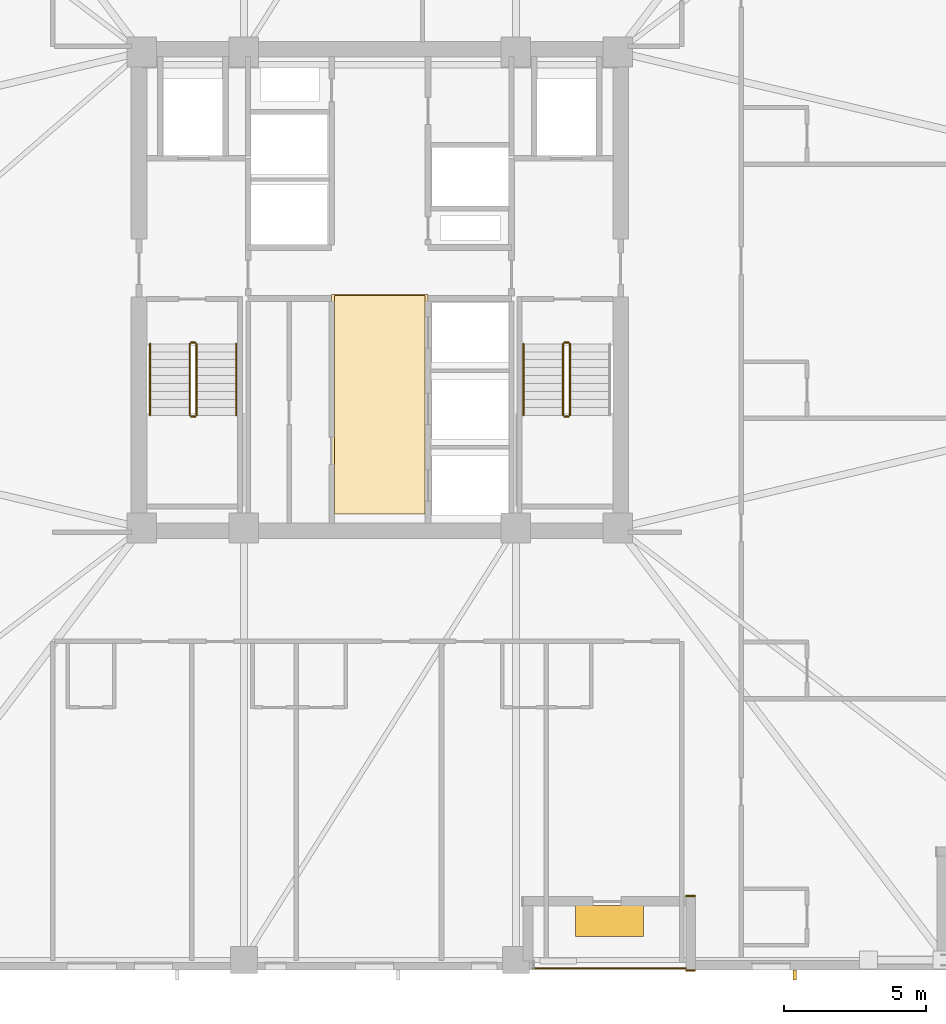
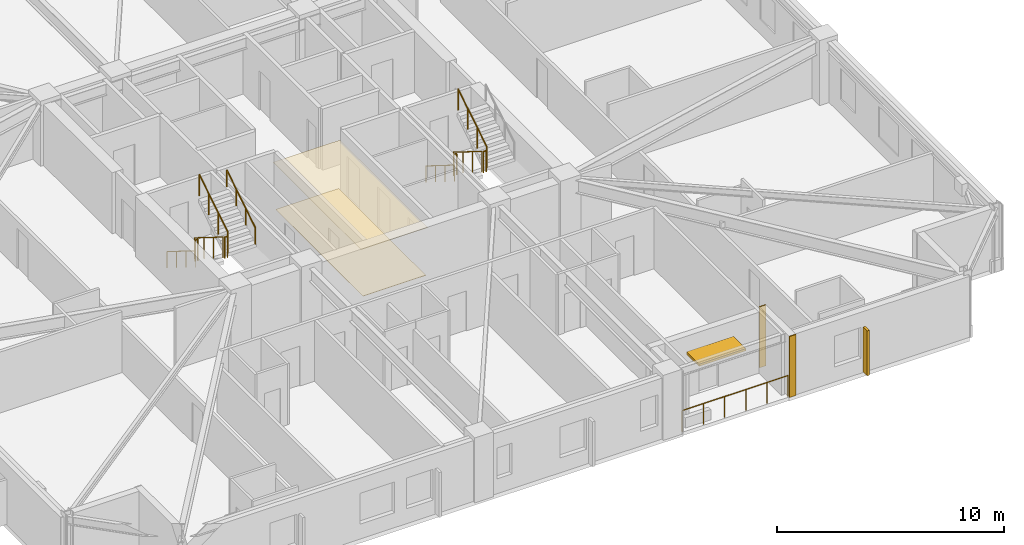
# One storey, part 8 of 11: 12 railings, 4 coverings, 2 shading devices.
"""IFC4 building model written with IfcOpenShell, lengths in metres."""

from ifc_helpers import new_model, si_unit, direction, frame, frame_2d, origin, origin_2d, place, context, subcontext, project, spatial, polyline, rectangle, circle, outline, extrude, material, layer, layer_set, type_object, element, save


model = new_model("IFC4")

# Units and contexts
model_context = context("Model", 3, precision=1e-05, world=origin(), true_north=direction((0.0, 1.0)))
body_context = subcontext(model_context, "Body", "Model", "MODEL_VIEW")
ifc_project = project(units=[si_unit("LENGTHUNIT", "METRE"), si_unit("AREAUNIT", "SQUARE_METRE"), si_unit("VOLUMEUNIT", "CUBIC_METRE"), si_unit("PLANEANGLEUNIT", "RADIAN"), si_unit("MASSUNIT", "GRAM", prefix="KILO")], contexts=[model_context])

# Site, building, storey
site_placement = place(None, origin())
site = spatial("IfcSite", under=ifc_project, at=site_placement, CompositionType="ELEMENT")
building_placement = place(site_placement, origin())
building = spatial("IfcBuilding", under=site, at=building_placement, Name="Cairnveth Concourse Tower", CompositionType="ELEMENT")
storey_placement = place(building_placement, frame((0.0, 0.0, 162.0)))
storey = spatial("IfcBuildingStorey", under=building, at=storey_placement, Name="L44", CompositionType="ELEMENT", Elevation=162.0)

# Coverings
ifc_material_1 = material(Name="Acoustic Mineral Fibre Ceiling", Category="gypsum")
ifc_layer_1 = layer(ifc_material_1, 0.02490234375)
ifc_layer_set_1 = layer_set([ifc_layer_1], Name="Acoustic Mineral Fibre Ceiling")
covering_type_1 = type_object("IfcCoveringType", Name="ACOUSTIC MINERAL FIBRE CEILING 25", PredefinedType="CEILING", material=ifc_layer_set_1)
covering_1_placement = place(storey_placement, frame((0.0, 0.0, 2.5400390625)))
element("IfcCovering", 1, at=covering_1_placement, inside=storey, type_object=covering_type_1, Name="Lift Lobby Acoustic Ceiling L44", PredefinedType="CEILING", context=body_context, shape_type="SweptSolid", body=[
    extrude(outline(polyline([(50.300048828125, 31.10009765625), (53.699951171875, 31.10009765625), (53.699951171875, 38.85009765625), (50.300048828125, 38.85009765625), (50.300048828125, 31.10009765625)])), origin(), (0.0, 0.0, 1.0), 0.02490234375),
])
ifc_material_2 = material(Name="Dressed Melbourne Bluestone Cladding", Category="masonry")
ifc_layer_2 = layer(ifc_material_2, 0.050048828125)
ifc_layer_set_2 = layer_set([ifc_layer_2], Name="Dressed Melbourne Bluestone Cladding")
covering_type_2 = type_object("IfcCoveringType", Name="DRESSED BLUESTONE PLINTH CLADDING 50", PredefinedType="CLADDING", material=ifc_layer_set_2)
for number, where, z_axis, x_axis, name in (
    (2, (63.139892578125, 14.97998046875, 0.0), (0.0, 0.0, 1.0), (-1.0, 0.0, 0.0), "Melbourne Bluestone Corner Quoin L44-656"),
    (3, (63.139892578125, 17.610107421875, 0.0), (0.0, 0.0, 1.0), (-1.0, 0.0, 0.0), "Melbourne Bluestone Corner Quoin L44-657"),
):
    element("IfcCovering", number, at=place(storey_placement, frame(where, z_axis=z_axis, x_axis=x_axis)), inside=storey, type_object=covering_type_2, Name=name, PredefinedType="CLADDING", context=body_context, shape_type="SweptSolid", body=[
        extrude(rectangle(XDim=0.33984375, YDim=0.050048828125, at=frame_2d((0.169921875, 0.0))), origin(), (0.0, 0.0, 1.0), 3.280029296875),
    ])

# Shading devices
ifc_material_3 = material(Name="Architectural Bronze Anodised Aluminium 6063-T6", Category="aluminium")
shading_device_type_1 = type_object("IfcShadingDeviceType", Name="GOTHIC BRONZE VERTICAL LANCET FIN", PredefinedType="USERDEFINED", material=ifc_material_3)
shading_device_1_placement = place(storey_placement, frame((66.64404296875, 14.824951171875, 0.030029296875), z_axis=(0.0, 0.0, 1.0), x_axis=(1.0, 0.0, 0.0)))
element("IfcShadingDevice", 4, at=shading_device_1_placement, inside=storey, type_object=shading_device_type_1, Name="Gothic Bronze Vertical Fin L44-12-1", ObjectType="VERTICAL FIN", PredefinedType="USERDEFINED", context=body_context, shape_type="SweptSolid", body=[
    extrude(rectangle(XDim=0.1201171875, YDim=0.360107421875, at=origin_2d()), origin(), (0.0, 0.0, 1.0), 2.419921875),
])
shading_device_type_2 = type_object("IfcShadingDeviceType", Name="SPIRAL TERRACE SUNSHADE CANOPY", PredefinedType="USERDEFINED", material=ifc_material_3)
shading_device_2_placement = place(storey_placement, frame((60.10009765625, 16.72998046875, 2.300048828125), z_axis=(0.0, 0.0, 1.0), x_axis=(1.0, 0.0, 0.0)))
element("IfcShadingDevice", 5, at=shading_device_2_placement, inside=storey, type_object=shading_device_type_2, Name="Spiral Terrace Sunshade L44", ObjectType="TERRACE SUNSHADE", PredefinedType="USERDEFINED", context=body_context, shape_type="SweptSolid", body=[
    extrude(rectangle(XDim=2.39990234375, YDim=1.10009765625, at=origin_2d()), origin(), (0.0, 0.0, 1.0), 0.1201171875),
])

# Railings
ifc_material_4 = material(Name="Steel Grade 350", Category="steel")
railing_type_1 = type_object("IfcRailingType", Name="STAIR GUARDRAIL 1150", PredefinedType="GUARDRAIL", material=ifc_material_4)
railing_1_placement = place(storey_placement, frame((45.2900390625, 37.10009765625, 0.175048828125)))
element("IfcRailing", 6, at=railing_1_placement, inside=storey, type_object=railing_type_1, Name="L44 ST-1 stair guard 1", PredefinedType="GUARDRAIL", context=body_context, shape_type="SweptSolid", body=[
    extrude(circle(Radius=0.02392578125, at=origin_2d()), frame((0.0, 0.0, 1.1259765625), z_axis=(0.0, -0.848007534815, 0.529984170421), x_axis=(1.0, 0.0, 0.0)), (0.0, 0.0, 1.0), 2.9716796875),
    extrude(circle(Radius=0.02099609375, at=origin_2d()), origin(), (0.0, 0.0, 1.0), 1.101806640625),
    extrude(circle(Radius=0.02099609375, at=origin_2d()), frame((0.0, -0.840087890625, 0.52490234375)), (0.0, 0.0, 1.0), 1.101806640625),
    extrude(circle(Radius=0.02099609375, at=origin_2d()), frame((0.0, -1.679931640625, 1.050048828125)), (0.0, 0.0, 1.0), 1.101806640625),
    extrude(circle(Radius=0.02099609375, at=origin_2d()), frame((0.0, -2.52001953125, 1.574951171875)), (0.0, 0.0, 1.0), 1.101806640625),
])
railing_2_placement = place(storey_placement, frame((45.340087890625, 34.530029296875, 1.75)))
element("IfcRailing", 7, at=railing_2_placement, inside=storey, type_object=railing_type_1, Name="L44 ST-1 stair guard 2", PredefinedType="GUARDRAIL", context=body_context, shape_type="SweptSolid", body=[
    extrude(circle(Radius=0.02392578125, at=origin_2d()), frame((0.0, 0.0, 1.1259765625), z_axis=(1.0, 0.0, 0.0), x_axis=(0.0, 1.0, 0.0)), (0.0, 0.0, 1.0), 0.139892578125),
    extrude(circle(Radius=0.02099609375, at=origin_2d()), origin(), (0.0, 0.0, 1.0), 1.101806640625),
    extrude(circle(Radius=0.02099609375, at=origin_2d()), frame((0.139892578125, 0.0, 0.0)), (0.0, 0.0, 1.0), 1.101806640625),
])
railing_3_placement = place(storey_placement, frame((45.530029296875, 34.580078125, 1.925048828125)))
element("IfcRailing", 8, at=railing_3_placement, inside=storey, type_object=railing_type_1, Name="L44 ST-1 stair guard 3", PredefinedType="GUARDRAIL", context=body_context, shape_type="SweptSolid", body=[
    extrude(circle(Radius=0.02392578125, at=origin_2d()), frame((0.0, 0.0, 1.1259765625), z_axis=(0.0, 0.848007534815, 0.529984170421), x_axis=(-1.0, 0.0, 0.0)), (0.0, 0.0, 1.0), 2.9716796875),
    extrude(circle(Radius=0.02099609375, at=origin_2d()), origin(), (0.0, 0.0, 1.0), 1.101806640625),
    extrude(circle(Radius=0.02099609375, at=origin_2d()), frame((0.0, 0.840087890625, 0.52490234375)), (0.0, 0.0, 1.0), 1.101806640625),
    extrude(circle(Radius=0.02099609375, at=origin_2d()), frame((0.0, 1.679931640625, 1.050048828125)), (0.0, 0.0, 1.0), 1.101806640625),
    extrude(circle(Radius=0.02099609375, at=origin_2d()), frame((0.0, 2.52001953125, 1.574951171875)), (0.0, 0.0, 1.0), 1.101806640625),
])
railing_4_placement = place(storey_placement, frame((45.340087890625, 37.14990234375, 0.0)))
element("IfcRailing", 9, at=railing_4_placement, inside=storey, type_object=railing_type_1, Name="L44 ST-1 stair guard 4", PredefinedType="GUARDRAIL", context=body_context, shape_type="SweptSolid", body=[
    extrude(circle(Radius=0.02392578125, at=origin_2d()), frame((0.0, 0.0, 1.1259765625), z_axis=(1.0, 0.0, 0.0), x_axis=(0.0, 1.0, 0.0)), (0.0, 0.0, 1.0), 0.139892578125),
    extrude(circle(Radius=0.02099609375, at=origin_2d()), origin(), (0.0, 0.0, 1.0), 1.101806640625),
    extrude(circle(Radius=0.02099609375, at=origin_2d()), frame((0.139892578125, 0.0, 0.0)), (0.0, 0.0, 1.0), 1.101806640625),
])
railing_5_placement = place(storey_placement, frame((58.469970703125, 37.10009765625, 0.175048828125)))
element("IfcRailing", 10, at=railing_5_placement, inside=storey, type_object=railing_type_1, Name="L44 ST-2 stair guard 1", PredefinedType="GUARDRAIL", context=body_context, shape_type="SweptSolid", body=[
    extrude(circle(Radius=0.02392578125, at=origin_2d()), frame((0.0, 0.0, 1.1259765625), z_axis=(0.0, -0.848007534815, 0.529984170421), x_axis=(1.0, 0.0, 0.0)), (0.0, 0.0, 1.0), 2.9716796875),
    extrude(circle(Radius=0.02099609375, at=origin_2d()), origin(), (0.0, 0.0, 1.0), 1.101806640625),
    extrude(circle(Radius=0.02099609375, at=origin_2d()), frame((0.0, -0.840087890625, 0.52490234375)), (0.0, 0.0, 1.0), 1.101806640625),
    extrude(circle(Radius=0.02099609375, at=origin_2d()), frame((0.0, -1.679931640625, 1.050048828125)), (0.0, 0.0, 1.0), 1.101806640625),
    extrude(circle(Radius=0.02099609375, at=origin_2d()), frame((0.0, -2.52001953125, 1.574951171875)), (0.0, 0.0, 1.0), 1.101806640625),
])
railing_6_placement = place(storey_placement, frame((58.52001953125, 34.530029296875, 1.75)))
element("IfcRailing", 11, at=railing_6_placement, inside=storey, type_object=railing_type_1, Name="L44 ST-2 stair guard 2", PredefinedType="GUARDRAIL", context=body_context, shape_type="SweptSolid", body=[
    extrude(circle(Radius=0.02392578125, at=origin_2d()), frame((0.0, 0.0, 1.1259765625), z_axis=(1.0, 0.0, 0.0), x_axis=(0.0, 1.0, 0.0)), (0.0, 0.0, 1.0), 0.139892578125),
    extrude(circle(Radius=0.02099609375, at=origin_2d()), origin(), (0.0, 0.0, 1.0), 1.101806640625),
    extrude(circle(Radius=0.02099609375, at=origin_2d()), frame((0.139892578125, 0.0, 0.0)), (0.0, 0.0, 1.0), 1.101806640625),
])
railing_7_placement = place(storey_placement, frame((58.7099609375, 34.580078125, 1.925048828125)))
element("IfcRailing", 12, at=railing_7_placement, inside=storey, type_object=railing_type_1, Name="L44 ST-2 stair guard 3", PredefinedType="GUARDRAIL", context=body_context, shape_type="SweptSolid", body=[
    extrude(circle(Radius=0.02392578125, at=origin_2d()), frame((0.0, 0.0, 1.1259765625), z_axis=(0.0, 0.848007534815, 0.529984170421), x_axis=(-1.0, 0.0, 0.0)), (0.0, 0.0, 1.0), 2.9716796875),
    extrude(circle(Radius=0.02099609375, at=origin_2d()), origin(), (0.0, 0.0, 1.0), 1.101806640625),
    extrude(circle(Radius=0.02099609375, at=origin_2d()), frame((0.0, 0.840087890625, 0.52490234375)), (0.0, 0.0, 1.0), 1.101806640625),
    extrude(circle(Radius=0.02099609375, at=origin_2d()), frame((0.0, 1.679931640625, 1.050048828125)), (0.0, 0.0, 1.0), 1.101806640625),
    extrude(circle(Radius=0.02099609375, at=origin_2d()), frame((0.0, 2.52001953125, 1.574951171875)), (0.0, 0.0, 1.0), 1.101806640625),
])
railing_8_placement = place(storey_placement, frame((58.52001953125, 37.14990234375, 0.0)))
element("IfcRailing", 13, at=railing_8_placement, inside=storey, type_object=railing_type_1, Name="L44 ST-2 stair guard 4", PredefinedType="GUARDRAIL", context=body_context, shape_type="SweptSolid", body=[
    extrude(circle(Radius=0.02392578125, at=origin_2d()), frame((0.0, 0.0, 1.1259765625), z_axis=(1.0, 0.0, 0.0), x_axis=(0.0, 1.0, 0.0)), (0.0, 0.0, 1.0), 0.139892578125),
    extrude(circle(Radius=0.02099609375, at=origin_2d()), origin(), (0.0, 0.0, 1.0), 1.101806640625),
    extrude(circle(Radius=0.02099609375, at=origin_2d()), frame((0.139892578125, 0.0, 0.0)), (0.0, 0.0, 1.0), 1.101806640625),
])
railing_type_2 = type_object("IfcRailingType", Name="STAIR WALL HANDRAIL 900", PredefinedType="HANDRAIL", material=ifc_material_4)
railing_9_placement = place(storey_placement, frame((43.889892578125, 37.10009765625, 0.175048828125)))
element("IfcRailing", 14, at=railing_9_placement, inside=storey, type_object=railing_type_2, Name="L44 ST-1 stair handrail 1", PredefinedType="HANDRAIL", context=body_context, shape_type="SweptSolid", body=[
    extrude(circle(Radius=0.02392578125, at=origin_2d()), frame((0.0, 0.0, 0.8759765625), z_axis=(0.0, -0.848007534815, 0.529984170421), x_axis=(1.0, 0.0, 0.0)), (0.0, 0.0, 1.0), 2.9716796875),
    extrude(circle(Radius=0.02099609375, at=origin_2d()), origin(), (0.0, 0.0, 1.0), 0.851806640625),
    extrude(circle(Radius=0.02099609375, at=origin_2d()), frame((0.0, -0.840087890625, 0.52490234375)), (0.0, 0.0, 1.0), 0.851806640625),
    extrude(circle(Radius=0.02099609375, at=origin_2d()), frame((0.0, -1.679931640625, 1.050048828125)), (0.0, 0.0, 1.0), 0.851806640625),
    extrude(circle(Radius=0.02099609375, at=origin_2d()), frame((0.0, -2.52001953125, 1.574951171875)), (0.0, 0.0, 1.0), 0.851806640625),
])
railing_10_placement = place(storey_placement, frame((46.929931640625, 34.580078125, 1.925048828125)))
element("IfcRailing", 15, at=railing_10_placement, inside=storey, type_object=railing_type_2, Name="L44 ST-1 stair handrail 2", PredefinedType="HANDRAIL", context=body_context, shape_type="SweptSolid", body=[
    extrude(circle(Radius=0.02392578125, at=origin_2d()), frame((0.0, 0.0, 0.8759765625), z_axis=(0.0, 0.848007534815, 0.529984170421), x_axis=(-1.0, 0.0, 0.0)), (0.0, 0.0, 1.0), 2.9716796875),
    extrude(circle(Radius=0.02099609375, at=origin_2d()), origin(), (0.0, 0.0, 1.0), 0.851806640625),
    extrude(circle(Radius=0.02099609375, at=origin_2d()), frame((0.0, 0.840087890625, 0.52490234375)), (0.0, 0.0, 1.0), 0.851806640625),
    extrude(circle(Radius=0.02099609375, at=origin_2d()), frame((0.0, 1.679931640625, 1.050048828125)), (0.0, 0.0, 1.0), 0.851806640625),
    extrude(circle(Radius=0.02099609375, at=origin_2d()), frame((0.0, 2.52001953125, 1.574951171875)), (0.0, 0.0, 1.0), 0.851806640625),
])
railing_11_placement = place(storey_placement, frame((57.070068359375, 37.10009765625, 0.175048828125)))
element("IfcRailing", 16, at=railing_11_placement, inside=storey, type_object=railing_type_2, Name="L44 ST-2 stair handrail 1", PredefinedType="HANDRAIL", context=body_context, shape_type="SweptSolid", body=[
    extrude(circle(Radius=0.02392578125, at=origin_2d()), frame((0.0, 0.0, 0.8759765625), z_axis=(0.0, -0.848007534815, 0.529984170421), x_axis=(1.0, 0.0, 0.0)), (0.0, 0.0, 1.0), 2.9716796875),
    extrude(circle(Radius=0.02099609375, at=origin_2d()), origin(), (0.0, 0.0, 1.0), 0.851806640625),
    extrude(circle(Radius=0.02099609375, at=origin_2d()), frame((0.0, -0.840087890625, 0.52490234375)), (0.0, 0.0, 1.0), 0.851806640625),
    extrude(circle(Radius=0.02099609375, at=origin_2d()), frame((0.0, -1.679931640625, 1.050048828125)), (0.0, 0.0, 1.0), 0.851806640625),
    extrude(circle(Radius=0.02099609375, at=origin_2d()), frame((0.0, -2.52001953125, 1.574951171875)), (0.0, 0.0, 1.0), 0.851806640625),
])
railing_type_3 = type_object("IfcRailingType", Name="TERRACE BRONZE BALUSTRADE 1150", PredefinedType="BALUSTRADE", material=ifc_material_3)
railing_12_placement = place(storey_placement, frame((57.39990234375, 15.06005859375, 0.0)))
element("IfcRailing", 17, at=railing_12_placement, inside=storey, type_object=railing_type_3, Name="Terrace Balustrade RL-L44-TERR", PredefinedType="BALUSTRADE", context=body_context, shape_type="SweptSolid", body=[
    extrude(circle(Radius=0.02490234375, at=origin_2d()), frame((0.0, 0.0, 1.125), z_axis=(1.0, 0.0, 0.0), x_axis=(0.0, 1.0, 0.0)), (0.0, 0.0, 1.0), 5.400146484375),
    extrude(circle(Radius=0.02099609375, at=origin_2d()), origin(), (0.0, 0.0, 1.0), 1.099853515625),
    extrude(circle(Radius=0.02099609375, at=origin_2d()), frame((1.080078125, 0.0, 0.0)), (0.0, 0.0, 1.0), 1.099853515625),
    extrude(circle(Radius=0.02099609375, at=origin_2d()), frame((2.16015625, 0.0, 0.0)), (0.0, 0.0, 1.0), 1.099853515625),
    extrude(circle(Radius=0.02099609375, at=origin_2d()), frame((3.239990234375, 0.0, 0.0)), (0.0, 0.0, 1.0), 1.099853515625),
    extrude(circle(Radius=0.02099609375, at=origin_2d()), frame((4.320068359375, 0.0, 0.0)), (0.0, 0.0, 1.0), 1.099853515625),
    extrude(circle(Radius=0.02099609375, at=origin_2d()), frame((5.400146484375, 0.0, 0.0)), (0.0, 0.0, 1.0), 1.099853515625),
])

# Covering
ifc_material_5 = material(Name="Vitrified Stoneware Tile Flooring", Category="masonry")
ifc_layer_3 = layer(ifc_material_5, 0.02001953125)
ifc_layer_set_3 = layer_set([ifc_layer_3], Name="Vitrified Stoneware Tile Flooring")
covering_type_3 = type_object("IfcCoveringType", Name="VITRIFIED STONEWARE LOBBY FLOORING 20", PredefinedType="FLOORING", material=ifc_layer_set_3)
covering_2_placement = place(storey_placement, origin())
element("IfcCovering", 18, at=covering_2_placement, inside=storey, type_object=covering_type_3, Name="Lift Lobby Stoneware Flooring L44", PredefinedType="FLOORING", context=body_context, shape_type="SweptSolid", body=[
    extrude(outline(polyline([(50.39990234375, 31.10009765625), (53.60009765625, 31.10009765625), (53.60009765625, 38.800048828125), (50.39990234375, 38.800048828125), (50.39990234375, 31.10009765625)])), origin(), (0.0, 0.0, 1.0), 0.02001953125),
])

save(model, "model.ifc")
